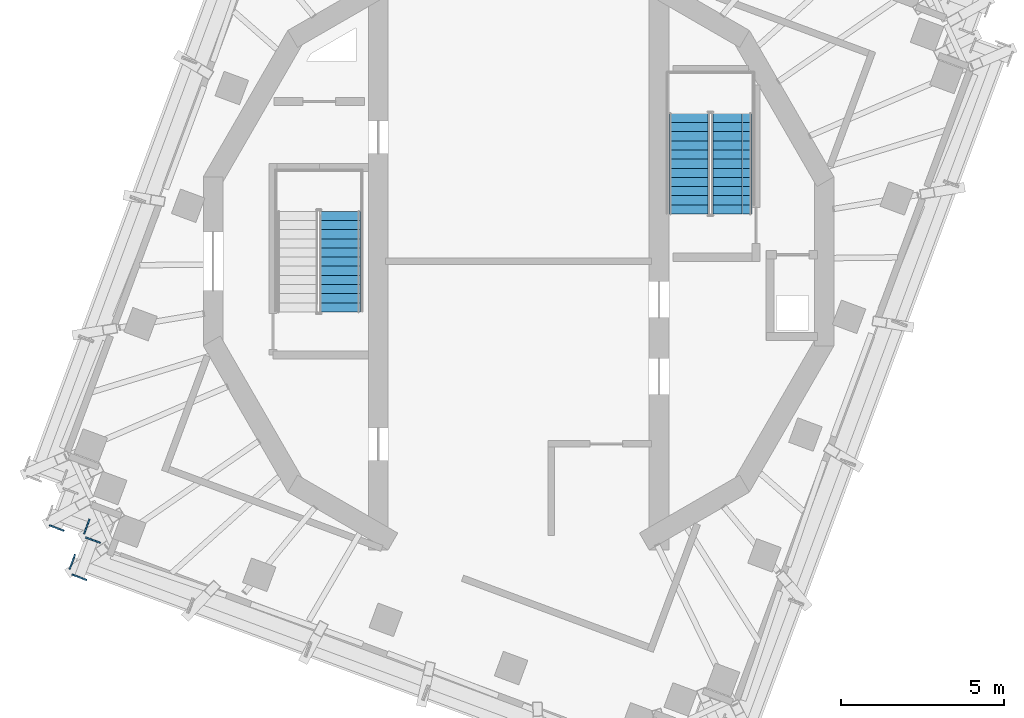
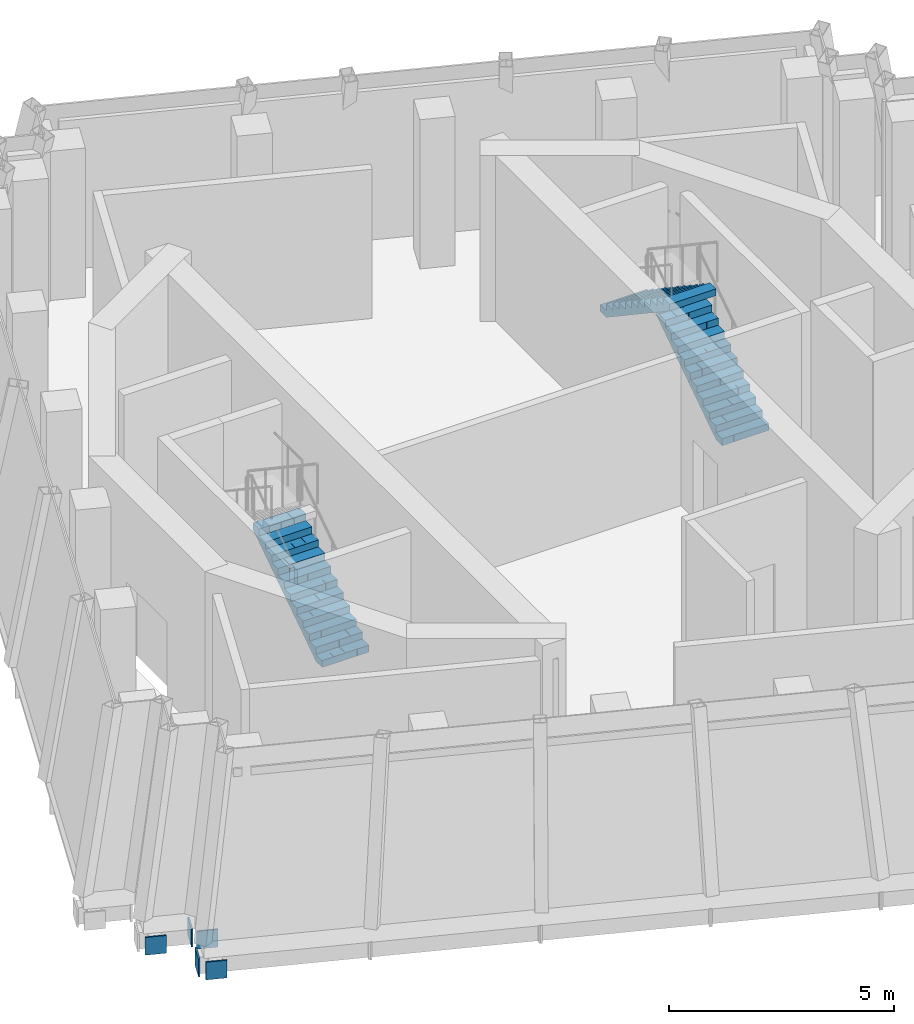
# One storey, part 6 of 11: 5 discrete accessories, 3 stair flights, 6 elements without a shape of their own.
"""IFC4 building model written with IfcOpenShell, lengths in metres."""

from ifc_helpers import new_model, si_unit, direction, frame, origin, place, context, subcontext, project, spatial, polyline, outline, extrude, material, layer, layer_set, type_object, element, aggregate, save


model = new_model("IFC4")

# Units and contexts
model_context = context("Model", 3, precision=1e-05, world=origin(), true_north=direction((0.0, 1.0)))
body_context = subcontext(model_context, "Body", "Model", "MODEL_VIEW")
ifc_project = project(units=[si_unit("LENGTHUNIT", "METRE"), si_unit("AREAUNIT", "SQUARE_METRE"), si_unit("VOLUMEUNIT", "CUBIC_METRE"), si_unit("PLANEANGLEUNIT", "RADIAN"), si_unit("MASSUNIT", "GRAM", prefix="KILO")], contexts=[model_context])

# Site, building, storey
site_placement = place(None, origin())
site = spatial("IfcSite", under=ifc_project, at=site_placement, CompositionType="ELEMENT")
building_placement = place(site_placement, origin())
building = spatial("IfcBuilding", under=site, at=building_placement, Name="Cantera Rosa Tower", CompositionType="ELEMENT")
storey_placement = place(building_placement, frame((0.0, 0.0, 365.199951171875)))
storey = spatial("IfcBuildingStorey", under=building, at=storey_placement, Name="L82", CompositionType="ELEMENT", Elevation=365.199951171875)

# Stair, stair flight
ifc_material_1 = material(Name="Concrete C35/45", Category="concrete")
stair_type = type_object("IfcStairType", Name="EXIT STAIR 1200 DOGLEG", PredefinedType="HALF_TURN_STAIR", material=ifc_material_1)
stair_1_placement = place(storey_placement, origin())
stair_1 = element("IfcStair", 1, at=stair_1_placement, inside=storey, type_object=stair_type, Name="L82 ST-71", PredefinedType="HALF_TURN_STAIR")
ifc_material_2 = material(Name="Concrete C35/45", Category="concrete")
stair_flight_type = type_object("IfcStairFlightType", Name="STAIR FLIGHT 1200 R24x188", PredefinedType="STRAIGHT", material=ifc_material_2)
stair_flight_1_placement = place(storey_placement, frame((-5.449951171875, -1.550048828125, 0.0), z_axis=(0.0, 0.0, 1.0), x_axis=(0.0, 1.0, 0.0)))
stair_flight_1 = element("IfcStairFlight", 2, at=stair_flight_1_placement, type_object=stair_flight_type, Name="ST-71 flight 1", NumberOfRisers=12, NumberOfTreads=11, PredefinedType="STRAIGHT", RiserHeight=0.1875, TreadLength=0.28, context=body_context, shape_type="SweptSolid", body=[
    extrude(outline(polyline([(0.0, 0.0), (0.0, 0.1875), (0.280029296875, 0.1875), (0.280029296875, 0.375), (0.56005859375, 0.375), (0.56005859375, 0.5625), (0.840087890625, 0.5625), (0.840087890625, 0.75), (1.1201171875, 0.75), (1.1201171875, 0.9375), (1.39990234375, 0.9375), (1.39990234375, 1.125), (1.679931640625, 1.125), (1.679931640625, 1.3125), (1.9599609375, 1.3125), (1.9599609375, 1.5), (2.239990234375, 1.5), (2.239990234375, 1.6875), (2.52001953125, 1.6875), (2.52001953125, 1.875), (2.800048828125, 1.875), (2.800048828125, 2.0625), (3.080078125, 2.0625), (3.080078125, 2.25), (3.080078125, 1.882080078125), (0.26953125, 0.0), (0.0, 0.0)])), frame((0.0, 0.60009765625, 0.0), z_axis=(0.0, -1.0, 0.0), x_axis=(1.0, 0.0, 0.0)), (0.0, 0.0, 1.0), 0.298583984375),
    extrude(outline(polyline([(0.0, 0.0), (0.0, 0.1875), (0.280029296875, 0.1875), (0.280029296875, 0.375), (0.56005859375, 0.375), (0.56005859375, 0.5625), (0.840087890625, 0.5625), (0.840087890625, 0.75), (1.1201171875, 0.75), (1.1201171875, 0.9375), (1.39990234375, 0.9375), (1.39990234375, 1.125), (1.679931640625, 1.125), (1.679931640625, 1.3125), (1.9599609375, 1.3125), (1.9599609375, 1.5), (2.239990234375, 1.5), (2.239990234375, 1.6875), (2.52001953125, 1.6875), (2.52001953125, 1.875), (2.800048828125, 1.875), (2.800048828125, 2.0625), (3.080078125, 2.0625), (3.080078125, 2.25), (3.080078125, 1.882080078125), (0.26953125, 0.0), (0.0, 0.0)])), frame((0.0, 0.29931640625, 0.0), z_axis=(0.0, -1.0, 0.0), x_axis=(1.0, 0.0, 0.0)), (0.0, 0.0, 1.0), 0.298583984375),
    extrude(outline(polyline([(0.0, 0.0), (0.0, 0.1875), (0.280029296875, 0.1875), (0.280029296875, 0.375), (0.56005859375, 0.375), (0.56005859375, 0.5625), (0.840087890625, 0.5625), (0.840087890625, 0.75), (1.1201171875, 0.75), (1.1201171875, 0.9375), (1.39990234375, 0.9375), (1.39990234375, 1.125), (1.679931640625, 1.125), (1.679931640625, 1.3125), (1.9599609375, 1.3125), (1.9599609375, 1.5), (2.239990234375, 1.5), (2.239990234375, 1.6875), (2.52001953125, 1.6875), (2.52001953125, 1.875), (2.800048828125, 1.875), (2.800048828125, 2.0625), (3.080078125, 2.0625), (3.080078125, 2.25), (3.080078125, 1.882080078125), (0.26953125, 0.0), (0.0, 0.0)])), frame((0.0, -0.0009765625, 0.0), z_axis=(0.0, -1.0, 0.0), x_axis=(1.0, 0.0, 0.0)), (0.0, 0.0, 1.0), 0.298583984375),
    extrude(outline(polyline([(0.0, 0.0), (0.0, 0.1875), (0.280029296875, 0.1875), (0.280029296875, 0.375), (0.56005859375, 0.375), (0.56005859375, 0.5625), (0.840087890625, 0.5625), (0.840087890625, 0.75), (1.1201171875, 0.75), (1.1201171875, 0.9375), (1.39990234375, 0.9375), (1.39990234375, 1.125), (1.679931640625, 1.125), (1.679931640625, 1.3125), (1.9599609375, 1.3125), (1.9599609375, 1.5), (2.239990234375, 1.5), (2.239990234375, 1.6875), (2.52001953125, 1.6875), (2.52001953125, 1.875), (2.800048828125, 1.875), (2.800048828125, 2.0625), (3.080078125, 2.0625), (3.080078125, 2.25), (3.080078125, 1.882080078125), (0.26953125, 0.0), (0.0, 0.0)])), frame((0.0, -0.3017578125, 0.0), z_axis=(0.0, -1.0, 0.0), x_axis=(1.0, 0.0, 0.0)), (0.0, 0.0, 1.0), 0.298583984375),
])
aggregate(stair_1, [stair_flight_1])

# Stair, stair flights
stair_2_placement = place(storey_placement, origin())
stair_2 = element("IfcStair", 3, at=stair_2_placement, inside=storey, type_object=stair_type, Name="L82 ST-72", PredefinedType="HALF_TURN_STAIR")
stair_flight_2_placement = place(storey_placement, frame((6.550048828125, 1.449951171875, 0.0), z_axis=(0.0, 0.0, 1.0), x_axis=(0.0, 1.0, 0.0)))
stair_flight_2 = element("IfcStairFlight", 4, at=stair_flight_2_placement, type_object=stair_flight_type, Name="ST-72 flight 1", NumberOfRisers=12, NumberOfTreads=11, PredefinedType="STRAIGHT", RiserHeight=0.1875, TreadLength=0.28, context=body_context, shape_type="SweptSolid", body=[
    extrude(outline(polyline([(0.0, 0.0), (0.0, 0.1875), (0.280029296875, 0.1875), (0.280029296875, 0.375), (0.56005859375, 0.375), (0.56005859375, 0.5625), (0.840087890625, 0.5625), (0.840087890625, 0.75), (1.1201171875, 0.75), (1.1201171875, 0.9375), (1.39990234375, 0.9375), (1.39990234375, 1.125), (1.679931640625, 1.125), (1.679931640625, 1.3125), (1.9599609375, 1.3125), (1.9599609375, 1.5), (2.239990234375, 1.5), (2.239990234375, 1.6875), (2.52001953125, 1.6875), (2.52001953125, 1.875), (2.800048828125, 1.875), (2.800048828125, 2.0625), (3.080078125, 2.0625), (3.080078125, 2.25), (3.080078125, 1.882080078125), (0.26953125, 0.0), (0.0, 0.0)])), frame((0.0, 0.60009765625, 0.0), z_axis=(0.0, -1.0, 0.0), x_axis=(1.0, 0.0, 0.0)), (0.0, 0.0, 1.0), 0.298583984375),
    extrude(outline(polyline([(0.0, 0.0), (0.0, 0.1875), (0.280029296875, 0.1875), (0.280029296875, 0.375), (0.56005859375, 0.375), (0.56005859375, 0.5625), (0.840087890625, 0.5625), (0.840087890625, 0.75), (1.1201171875, 0.75), (1.1201171875, 0.9375), (1.39990234375, 0.9375), (1.39990234375, 1.125), (1.679931640625, 1.125), (1.679931640625, 1.3125), (1.9599609375, 1.3125), (1.9599609375, 1.5), (2.239990234375, 1.5), (2.239990234375, 1.6875), (2.52001953125, 1.6875), (2.52001953125, 1.875), (2.800048828125, 1.875), (2.800048828125, 2.0625), (3.080078125, 2.0625), (3.080078125, 2.25), (3.080078125, 1.882080078125), (0.26953125, 0.0), (0.0, 0.0)])), frame((0.0, 0.29931640625, 0.0), z_axis=(0.0, -1.0, 0.0), x_axis=(1.0, 0.0, 0.0)), (0.0, 0.0, 1.0), 0.298583984375),
    extrude(outline(polyline([(0.0, 0.0), (0.0, 0.1875), (0.280029296875, 0.1875), (0.280029296875, 0.375), (0.56005859375, 0.375), (0.56005859375, 0.5625), (0.840087890625, 0.5625), (0.840087890625, 0.75), (1.1201171875, 0.75), (1.1201171875, 0.9375), (1.39990234375, 0.9375), (1.39990234375, 1.125), (1.679931640625, 1.125), (1.679931640625, 1.3125), (1.9599609375, 1.3125), (1.9599609375, 1.5), (2.239990234375, 1.5), (2.239990234375, 1.6875), (2.52001953125, 1.6875), (2.52001953125, 1.875), (2.800048828125, 1.875), (2.800048828125, 2.0625), (3.080078125, 2.0625), (3.080078125, 2.25), (3.080078125, 1.882080078125), (0.26953125, 0.0), (0.0, 0.0)])), frame((0.0, -0.0009765625, 0.0), z_axis=(0.0, -1.0, 0.0), x_axis=(1.0, 0.0, 0.0)), (0.0, 0.0, 1.0), 0.298583984375),
    extrude(outline(polyline([(0.0, 0.0), (0.0, 0.1875), (0.280029296875, 0.1875), (0.280029296875, 0.375), (0.56005859375, 0.375), (0.56005859375, 0.5625), (0.840087890625, 0.5625), (0.840087890625, 0.75), (1.1201171875, 0.75), (1.1201171875, 0.9375), (1.39990234375, 0.9375), (1.39990234375, 1.125), (1.679931640625, 1.125), (1.679931640625, 1.3125), (1.9599609375, 1.3125), (1.9599609375, 1.5), (2.239990234375, 1.5), (2.239990234375, 1.6875), (2.52001953125, 1.6875), (2.52001953125, 1.875), (2.800048828125, 1.875), (2.800048828125, 2.0625), (3.080078125, 2.0625), (3.080078125, 2.25), (3.080078125, 1.882080078125), (0.26953125, 0.0), (0.0, 0.0)])), frame((0.0, -0.3017578125, 0.0), z_axis=(0.0, -1.0, 0.0), x_axis=(1.0, 0.0, 0.0)), (0.0, 0.0, 1.0), 0.298583984375),
])
stair_flight_3_placement = place(storey_placement, frame((5.199951171875, 4.530029296875, 2.25), z_axis=(0.0, 0.0, 1.0), x_axis=(0.0, -1.0, 0.0)))
stair_flight_3 = element("IfcStairFlight", 5, at=stair_flight_3_placement, type_object=stair_flight_type, Name="ST-72 flight 2", NumberOfRisers=12, NumberOfTreads=11, PredefinedType="STRAIGHT", RiserHeight=0.1875, TreadLength=0.28, context=body_context, shape_type="SweptSolid", body=[
    extrude(outline(polyline([(0.0, 0.0), (0.0, 0.1875), (0.280029296875, 0.1875), (0.280029296875, 0.375), (0.56005859375, 0.375), (0.56005859375, 0.5625), (0.840087890625, 0.5625), (0.840087890625, 0.75), (1.1201171875, 0.75), (1.1201171875, 0.9375), (1.39990234375, 0.9375), (1.39990234375, 1.125), (1.679931640625, 1.125), (1.679931640625, 1.3125), (1.9599609375, 1.3125), (1.9599609375, 1.5), (2.239990234375, 1.5), (2.239990234375, 1.6875), (2.52001953125, 1.6875), (2.52001953125, 1.875), (2.800048828125, 1.875), (2.800048828125, 2.0625), (3.080078125, 2.0625), (3.080078125, 2.25), (3.080078125, 1.882080078125), (0.26953125, 0.0), (0.0, 0.0)])), frame((0.0, 0.60009765625, 0.0), z_axis=(0.0, -1.0, 0.0), x_axis=(1.0, 0.0, 0.0)), (0.0, 0.0, 1.0), 0.298583984375),
    extrude(outline(polyline([(0.0, 0.0), (0.0, 0.1875), (0.280029296875, 0.1875), (0.280029296875, 0.375), (0.56005859375, 0.375), (0.56005859375, 0.5625), (0.840087890625, 0.5625), (0.840087890625, 0.75), (1.1201171875, 0.75), (1.1201171875, 0.9375), (1.39990234375, 0.9375), (1.39990234375, 1.125), (1.679931640625, 1.125), (1.679931640625, 1.3125), (1.9599609375, 1.3125), (1.9599609375, 1.5), (2.239990234375, 1.5), (2.239990234375, 1.6875), (2.52001953125, 1.6875), (2.52001953125, 1.875), (2.800048828125, 1.875), (2.800048828125, 2.0625), (3.080078125, 2.0625), (3.080078125, 2.25), (3.080078125, 1.882080078125), (0.26953125, 0.0), (0.0, 0.0)])), frame((0.0, 0.29931640625, 0.0), z_axis=(0.0, -1.0, 0.0), x_axis=(1.0, 0.0, 0.0)), (0.0, 0.0, 1.0), 0.298583984375),
    extrude(outline(polyline([(0.0, 0.0), (0.0, 0.1875), (0.280029296875, 0.1875), (0.280029296875, 0.375), (0.56005859375, 0.375), (0.56005859375, 0.5625), (0.840087890625, 0.5625), (0.840087890625, 0.75), (1.1201171875, 0.75), (1.1201171875, 0.9375), (1.39990234375, 0.9375), (1.39990234375, 1.125), (1.679931640625, 1.125), (1.679931640625, 1.3125), (1.9599609375, 1.3125), (1.9599609375, 1.5), (2.239990234375, 1.5), (2.239990234375, 1.6875), (2.52001953125, 1.6875), (2.52001953125, 1.875), (2.800048828125, 1.875), (2.800048828125, 2.0625), (3.080078125, 2.0625), (3.080078125, 2.25), (3.080078125, 1.882080078125), (0.26953125, 0.0), (0.0, 0.0)])), frame((0.0, -0.0009765625, 0.0), z_axis=(0.0, -1.0, 0.0), x_axis=(1.0, 0.0, 0.0)), (0.0, 0.0, 1.0), 0.298583984375),
    extrude(outline(polyline([(0.0, 0.0), (0.0, 0.1875), (0.280029296875, 0.1875), (0.280029296875, 0.375), (0.56005859375, 0.375), (0.56005859375, 0.5625), (0.840087890625, 0.5625), (0.840087890625, 0.75), (1.1201171875, 0.75), (1.1201171875, 0.9375), (1.39990234375, 0.9375), (1.39990234375, 1.125), (1.679931640625, 1.125), (1.679931640625, 1.3125), (1.9599609375, 1.3125), (1.9599609375, 1.5), (2.239990234375, 1.5), (2.239990234375, 1.6875), (2.52001953125, 1.6875), (2.52001953125, 1.875), (2.800048828125, 1.875), (2.800048828125, 2.0625), (3.080078125, 2.0625), (3.080078125, 2.25), (3.080078125, 1.882080078125), (0.26953125, 0.0), (0.0, 0.0)])), frame((0.0, -0.3017578125, 0.0), z_axis=(0.0, -1.0, 0.0), x_axis=(1.0, 0.0, 0.0)), (0.0, 0.0, 1.0), 0.298583984375),
])
aggregate(stair_2, [stair_flight_2, stair_flight_3])

# Curtain wall, discrete accessory
ifc_material_3 = material(Name="Aluminium frame with clear glass", Category="aluminium")
curtain_wall_type = type_object("IfcCurtainWallType", Name="CW4 CROWN GLAZING", PredefinedType="NOTDEFINED", material=ifc_material_3)
curtain_wall_1_placement = place(storey_placement, origin())
curtain_wall_1 = element("IfcCurtainWall", 6, at=curtain_wall_1_placement, inside=storey, type_object=curtain_wall_type, Name="CW4 L82-16", PredefinedType="NOTDEFINED")
ifc_material_4 = material(Name="Steel S355J2 (EN 10025-2)", Category="steel")
ifc_layer = layer(ifc_material_4, 0.030029296875)
ifc_layer_set = layer_set([ifc_layer], Name="NODE PLATE 30")
discrete_accessory_type = type_object("IfcDiscreteAccessoryType", Name="NODE PLATE 30", PredefinedType="ANCHORPLATE", material=ifc_layer_set)
discrete_accessory_1_placement = place(storey_placement, frame((-13.930908203125, -8.273681640625, -0.43505859375), z_axis=(-0.347496626235, -0.937681233018, 0.0), x_axis=(-0.937681233018, 0.347496626235, 0.0)))
discrete_accessory_1 = element("IfcDiscreteAccessory", 7, at=discrete_accessory_1_placement, type_object=discrete_accessory_type, Name="END PLATE TE1", PredefinedType="ANCHORPLATE", context=body_context, shape_type="SweptSolid", body=[
    extrude(outline(polyline([(0.0, 0.0), (0.4798551533622547, 0.0), (0.4798551533622547, 0.47998046875), (0.0, 0.47998046875), (0.0, 0.0)])), origin(), (0.0, 0.0, -1.0), 0.0400390625),
])
aggregate(curtain_wall_1, [discrete_accessory_1])

curtain_wall_2_placement = place(storey_placement, origin())
curtain_wall_2 = element("IfcCurtainWall", 8, at=curtain_wall_2_placement, inside=storey, type_object=curtain_wall_type, Name="CW4 L82-17", PredefinedType="NOTDEFINED")
discrete_accessory_2_placement = place(storey_placement, frame((-13.12548828125, -7.905029296875, -0.43505859375), z_axis=(0.937576914778, -0.347777987911, 0.0), x_axis=(-0.347777987911, -0.937576914778, 0.0)))
discrete_accessory_2 = element("IfcDiscreteAccessory", 9, at=discrete_accessory_2_placement, type_object=discrete_accessory_type, Name="END PLATE TE1", PredefinedType="ANCHORPLATE", context=body_context, shape_type="SweptSolid", body=[
    extrude(outline(polyline([(0.0, 0.0), (0.4801689391068604, 0.0), (0.4801689391068604, 0.47998046875), (0.0, 0.47998046875), (0.0, 0.0)])), origin(), (0.0, 0.0, -1.0), 0.0400390625),
])
aggregate(curtain_wall_2, [discrete_accessory_2])

# Curtain wall, discrete accessories
curtain_wall_3_placement = place(storey_placement, origin())
curtain_wall_3 = element("IfcCurtainWall", 10, at=curtain_wall_3_placement, inside=storey, type_object=curtain_wall_type, Name="CW4 L82-18", PredefinedType="NOTDEFINED")
discrete_accessory_3_placement = place(storey_placement, frame((-13.25537109375, -8.43994140625, -0.43505859375), z_axis=(0.347496626235, 0.937681233018, 0.0), x_axis=(0.937681233018, -0.347496626235, 0.0)))
discrete_accessory_3 = element("IfcDiscreteAccessory", 11, at=discrete_accessory_3_placement, type_object=discrete_accessory_type, Name="END PLATE TE0", PredefinedType="ANCHORPLATE", context=body_context, shape_type="SweptSolid", body=[
    extrude(outline(polyline([(0.0, 0.0), (0.4798551533622547, 0.0), (0.4798551533622547, 0.47998046875), (0.0, 0.47998046875), (0.0, 0.0)])), origin(), (0.0, 0.0, -1.0), 0.0400390625),
])
discrete_accessory_4_placement = place(storey_placement, frame((-13.239990234375, -9.780029296875, -0.43505859375), z_axis=(-0.347777987911, -0.937576914778, 0.0), x_axis=(-0.937576914778, 0.347777987911, 0.0)))
discrete_accessory_4 = element("IfcDiscreteAccessory", 12, at=discrete_accessory_4_placement, type_object=discrete_accessory_type, Name="END PLATE TE1", PredefinedType="ANCHORPLATE", context=body_context, shape_type="SweptSolid", body=[
    extrude(outline(polyline([(0.0, 0.0), (0.4801689391068604, 0.0), (0.4801689391068604, 0.47998046875), (0.0, 0.47998046875), (0.0, 0.0)])), origin(), (0.0, 0.0, -1.0), 0.0400390625),
])
aggregate(curtain_wall_3, [discrete_accessory_3, discrete_accessory_4])

# Curtain wall, discrete accessory
curtain_wall_4_placement = place(storey_placement, origin())
curtain_wall_4 = element("IfcCurtainWall", 13, at=curtain_wall_4_placement, inside=storey, type_object=curtain_wall_type, Name="CW4 L82-19", PredefinedType="NOTDEFINED")
discrete_accessory_5_placement = place(storey_placement, frame((-13.7734375, -9.425537109375, -0.43505859375), z_axis=(-0.937742626232, 0.347330918501, 0.0), x_axis=(0.347330918501, 0.937742626232, 0.0)))
discrete_accessory_5 = element("IfcDiscreteAccessory", 14, at=discrete_accessory_5_placement, type_object=discrete_accessory_type, Name="END PLATE TE0", PredefinedType="ANCHORPLATE", context=body_context, shape_type="SweptSolid", body=[
    extrude(outline(polyline([(0.0, 0.0), (0.4800840869406107, 0.0), (0.4800840869406107, 0.47998046875), (0.0, 0.47998046875), (0.0, 0.0)])), origin(), (0.0, 0.0, -1.0), 0.0400390625),
])
aggregate(curtain_wall_4, [discrete_accessory_5])

save(model, "model.ifc")
